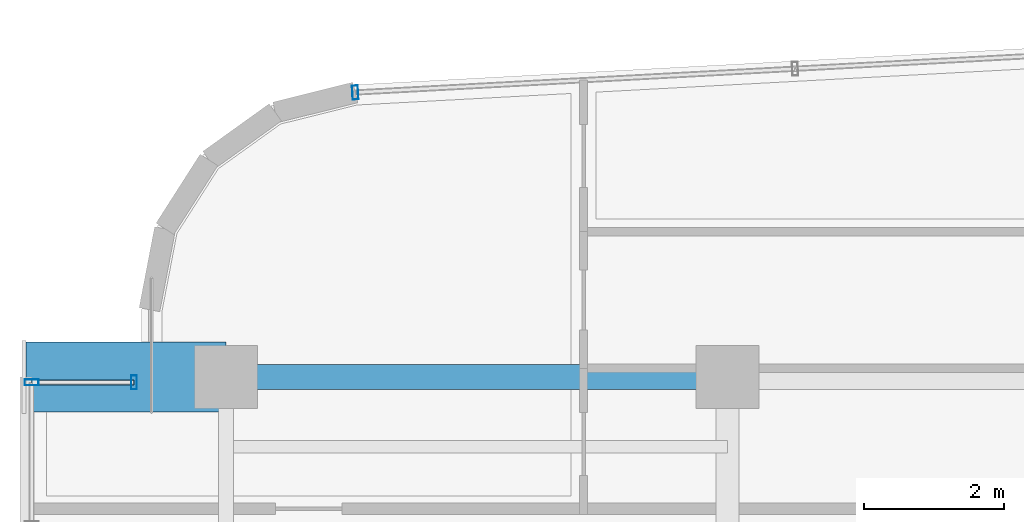
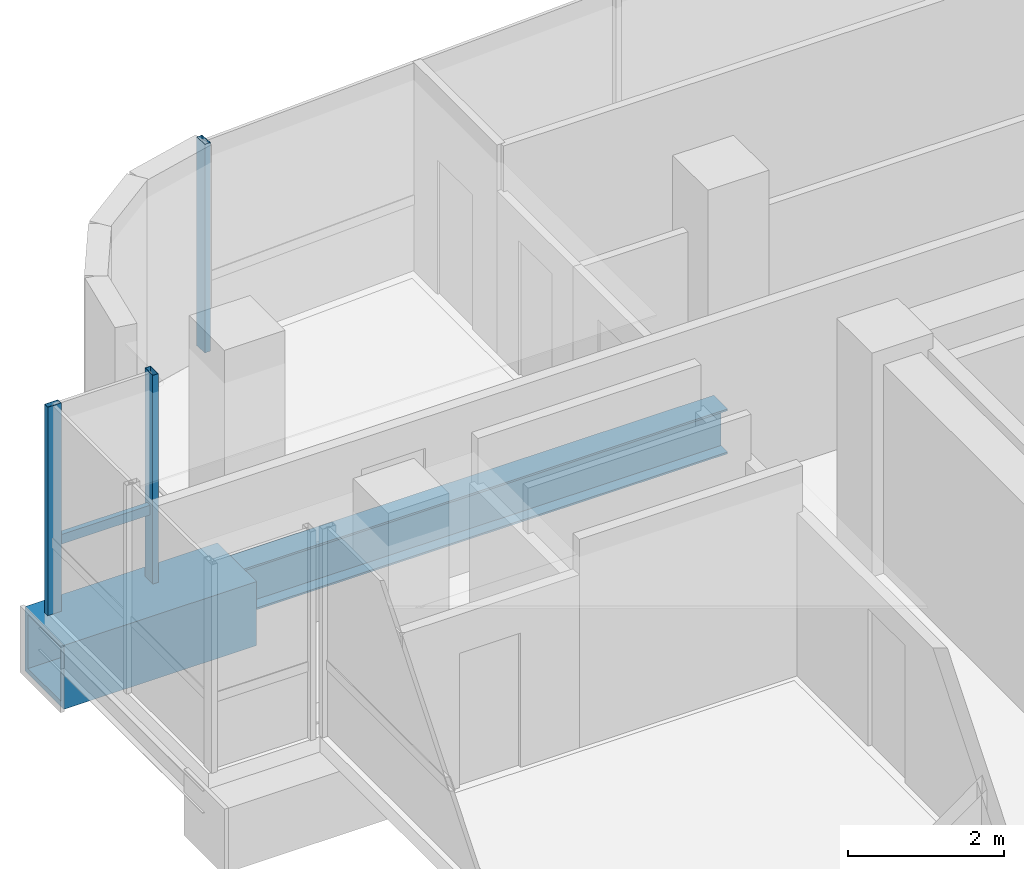
# One storey, part 12 of 23: 4 members, 2 beams, 3 elements without a shape of their own.
"""IFC4 building model written with IfcOpenShell, lengths in metres."""

from ifc_helpers import new_model, si_unit, direction, frame, origin, origin_2d, place, context, subcontext, project, spatial, hollow_rectangle, i_section, extrude, source, transform, mapped, material, material_profile, profile_set, type_object, element, aggregate, save


model = new_model("IFC4")

# Units and contexts
model_context = context("Model", 3, precision=1e-05, world=origin(), true_north=direction((0.0, 1.0)))
body_context = subcontext(model_context, "Body", "Model", "MODEL_VIEW")
ifc_project = project(units=[si_unit("LENGTHUNIT", "METRE"), si_unit("AREAUNIT", "SQUARE_METRE"), si_unit("VOLUMEUNIT", "CUBIC_METRE"), si_unit("PLANEANGLEUNIT", "RADIAN"), si_unit("MASSUNIT", "GRAM", prefix="KILO")], contexts=[model_context])

# Site, building, storey
site_placement = place(None, origin())
site = spatial("IfcSite", under=ifc_project, at=site_placement, CompositionType="ELEMENT")
building_placement = place(site_placement, origin())
building = spatial("IfcBuilding", under=site, at=building_placement, Name="Valdorenza Pilgrim Sanctuary Tower", CompositionType="ELEMENT")
storey_placement = place(building_placement, frame((0.0, 0.0, 226.5)))
storey = spatial("IfcBuildingStorey", under=building, at=storey_placement, Name="L58", CompositionType="ELEMENT", Elevation=226.5)

# Beams
ifc_material_1 = material(Name="Steel ASTM A572 Grade 42", Category="steel")
ifc_material_profile_1 = material_profile(ifc_material_1, hollow_rectangle(XDim=1.0, YDim=1.0, WallThickness=0.080078125, at=origin_2d()), Name="BOX 1000x1000x80")
ifc_profile_set_1 = profile_set([ifc_material_profile_1], Name="Steel ASTM A572 Grade 42")
beam_type_1 = type_object("IfcBeamType", Name="STR-BM-PROW-CANT", PredefinedType="BEAM", material=ifc_profile_set_1)
shared_shape_1 = source(origin(), body_context, "Body", "SweptSolid", [
    extrude(hollow_rectangle(XDim=1.0, YDim=1.0, WallThickness=0.080078125, at=origin_2d()), origin(), (0.0, 0.0, 1.0), 2.849853515625),
])
beam_1_placement = place(storey_placement, frame((-29.800048828125, 14.800048828125, -0.739990234375), z_axis=(-1.0, 0.0, 0.0), x_axis=(0.0, -1.0, 0.0)))
element("IfcBeam", 1, at=beam_1_placement, inside=storey, type_object=beam_type_1, Name="L58 Glass Box Cantilever Beam BOX-WA-L58-CT-N", PredefinedType="BEAM", context=body_context, shape_type="MappedRepresentation", body=[
    mapped(shared_shape_1, transform((0.0, 0.0, 0.0), x_axis=(1.0, 0.0, 0.0), y_axis=(0.0, 1.0, 0.0), z_axis=(0.0, 0.0, 1.0), scale=1.0)),
])
ifc_material_2 = material(Name="Steel ASTM A992 Grade 50", Category="steel")
ifc_material_profile_2 = material_profile(ifc_material_2, i_section(OverallWidth=0.35595703125, OverallDepth=0.700927734375, WebThickness=0.016845703125, FlangeThickness=0.02734375, at=origin_2d()), Name="W27X161")
ifc_profile_set_2 = profile_set([ifc_material_profile_2], Name="Steel ASTM A992 Grade 50")
beam_type_2 = type_object("IfcBeamType", Name="STR-BM-GRD-W27", PredefinedType="BEAM", material=ifc_profile_set_2)
shared_shape_2 = source(origin(), body_context, "Body", "SweptSolid", [
    extrude(i_section(OverallWidth=0.35595703125, OverallDepth=0.700927734375, WebThickness=0.016845703125, FlangeThickness=0.02734375, at=origin_2d()), origin(), (0.0, 0.0, 1.0), 7.150146484375),
])
beam_2_placement = place(storey_placement, frame((-29.800048828125, 14.800048828125, -0.590576171875), z_axis=(1.0, 0.0, 0.0), x_axis=(0.0, 1.0, 0.0)))
element("IfcBeam", 2, at=beam_2_placement, inside=storey, type_object=beam_type_2, Name="L58 Floor Girder WA-XW-N2", PredefinedType="BEAM", context=body_context, shape_type="MappedRepresentation", body=[
    mapped(shared_shape_2, transform((0.0, 0.0, 0.0), x_axis=(1.0, 0.0, 0.0), y_axis=(0.0, 1.0, 0.0), z_axis=(0.0, 0.0, 1.0), scale=1.0)),
])

# Curtain wall, member
ifc_material_3 = material(Name="Curtain-wall IGU glazing", Category="glass")
curtain_wall_type = type_object("IfcCurtainWallType", Name="CW-SYS-02", PredefinedType="NOTDEFINED", material=ifc_material_3)
curtain_wall_1_placement = place(storey_placement, origin())
curtain_wall_1 = element("IfcCurtainWall", 3, at=curtain_wall_1_placement, inside=storey, type_object=curtain_wall_type, Name="L58 Curtain Wall CW-L58-BOX-WA-L58-N", PredefinedType="NOTDEFINED")
ifc_material_4 = material(Name="Anodised aluminium AW-6060", Category="aluminium")
ifc_material_profile_3 = material_profile(ifc_material_4, hollow_rectangle(XDim=0.074951171875, YDim=0.14990234375, WallThickness=0.00390625, at=origin_2d()), Name="ALU-T 150x75x4")
ifc_profile_set_3 = profile_set([ifc_material_profile_3], Name="Anodised aluminium AW-6060")
member_type_1 = type_object("IfcMemberType", Name="CW-TRN-02", PredefinedType="USERDEFINED", material=ifc_profile_set_3)
shared_shape_3 = source(origin(), body_context, "Body", "SweptSolid", [
    extrude(hollow_rectangle(XDim=0.074951171875, YDim=0.14990234375, WallThickness=0.00390625, at=origin_2d()), origin(), (0.0, 0.0, 1.0), 1.4599609375),
])
member_1_placement = place(storey_placement, frame((-32.570068359375, 14.719970703125, 1.1201171875), z_axis=(1.0, 0.0, 0.0), x_axis=(0.0, 1.0, 0.0)))
member_1 = element("IfcMember", 4, at=member_1_placement, type_object=member_type_1, Name="CW-L58-BOX-WA-L58-N Transom 1", ObjectType="TRANSOM", PredefinedType="USERDEFINED", context=body_context, shape_type="MappedRepresentation", body=[
    mapped(shared_shape_3, transform((0.0, 0.0, 0.0), x_axis=(1.0, 0.0, 0.0), y_axis=(0.0, 1.0, 0.0), z_axis=(0.0, 0.0, 1.0), scale=1.0)),
])

curtain_wall_2_placement = place(storey_placement, origin())
curtain_wall_2 = element("IfcCurtainWall", 5, at=curtain_wall_2_placement, inside=storey, type_object=curtain_wall_type, Name="L58 Curtain Wall CW-L58-1-6", PredefinedType="NOTDEFINED")
ifc_material_profile_4 = material_profile(ifc_material_4, hollow_rectangle(XDim=0.0849609375, YDim=0.199951171875, WallThickness=0.0048828125, at=origin_2d()), Name="ALU-M 200x85x5")
ifc_profile_set_4 = profile_set([ifc_material_profile_4], Name="Anodised aluminium AW-6060")
member_type_2 = type_object("IfcMemberType", Name="CW-MUL-02", PredefinedType="MULLION", material=ifc_profile_set_4)
shared_shape_4 = source(origin(), body_context, "Body", "SweptSolid", [
    extrude(hollow_rectangle(XDim=0.0849609375, YDim=0.199951171875, WallThickness=0.0048828125, at=origin_2d()), origin(), (0.0, 0.0, 1.0), 3.260009765625),
])
member_2_placement = place(storey_placement, frame((-27.9560546875, 18.85400390625, 0.0), z_axis=(0.0, 0.0, 1.0), x_axis=(0.998547034311, 0.053887106711, 0.0)))
member_2 = element("IfcMember", 6, at=member_2_placement, type_object=member_type_2, Name="CW-L58-1-6 Mullion 1", PredefinedType="MULLION", context=body_context, shape_type="MappedRepresentation", body=[
    mapped(shared_shape_4, transform((0.0, 0.0, 0.0), x_axis=(1.0, 0.0, 0.0), y_axis=(0.0, 1.0, 0.0), z_axis=(0.0, 0.0, 1.0), scale=1.0)),
])
aggregate(curtain_wall_2, [member_2])

curtain_wall_3_placement = place(storey_placement, origin())
curtain_wall_3 = element("IfcCurtainWall", 7, at=curtain_wall_3_placement, inside=storey, type_object=curtain_wall_type, Name="L58 Curtain Wall CW-L58-BOX-WA-L58-F", PredefinedType="NOTDEFINED")
member_3_placement = place(storey_placement, frame((-32.570068359375, 14.719970703125, 0.0), z_axis=(0.0, 0.0, 1.0), x_axis=(0.0, 1.0, 0.0)))
member_3 = element("IfcMember", 8, at=member_3_placement, type_object=member_type_2, Name="CW-L58-BOX-WA-L58-F Mullion 3", PredefinedType="MULLION", context=body_context, shape_type="MappedRepresentation", body=[
    mapped(shared_shape_4, transform((0.0, 0.0, 0.0), x_axis=(1.0, 0.0, 0.0), y_axis=(0.0, 1.0, 0.0), z_axis=(0.0, 0.0, 1.0), scale=1.0)),
])
aggregate(curtain_wall_3, [member_3])

# Member
member_4_placement = place(storey_placement, frame((-31.110107421875, 14.719970703125, 0.0), z_axis=(0.0, 0.0, 1.0), x_axis=(1.0, 0.0, 0.0)))
member_4 = element("IfcMember", 9, at=member_4_placement, type_object=member_type_2, Name="CW-L58-BOX-WA-L58-N Mullion 2", PredefinedType="MULLION", context=body_context, shape_type="MappedRepresentation", body=[
    mapped(shared_shape_4, transform((0.0, 0.0, 0.0), x_axis=(1.0, 0.0, 0.0), y_axis=(0.0, 1.0, 0.0), z_axis=(0.0, 0.0, 1.0), scale=1.0)),
])

aggregate(curtain_wall_1, [member_4, member_1])

save(model, "model.ifc")
